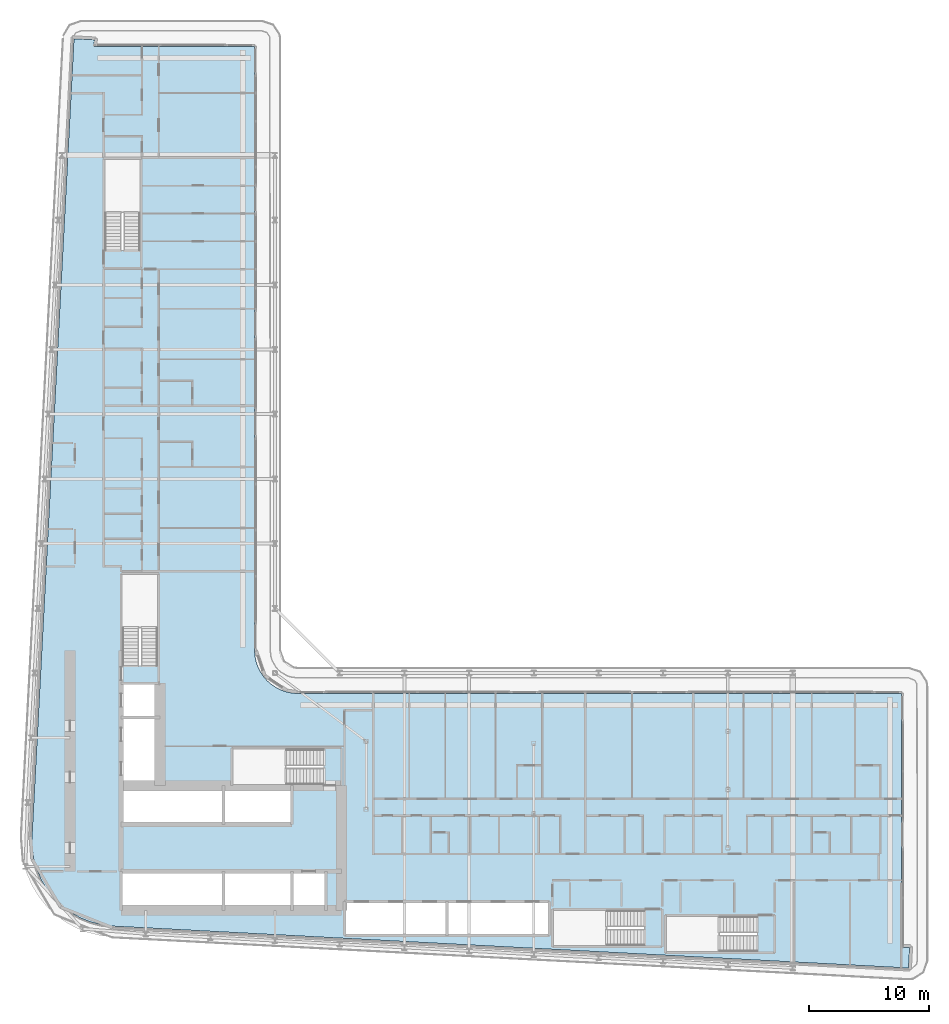
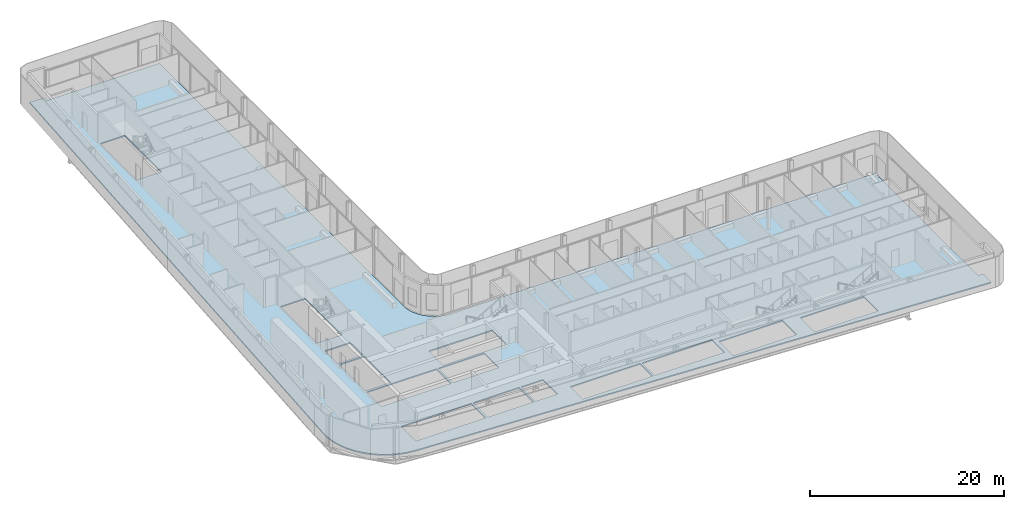
# One storey, part 11 of 28: 1 slab.
"""IFC4 building model written with IfcOpenShell, lengths in metres."""

from ifc_helpers import new_model, si_unit, direction, frame, origin, place, context, subcontext, project, spatial, polyline, outline, extrude, material, layer, layer_set, type_object, element, save


model = new_model("IFC4")

# Units and contexts
model_context = context("Model", 3, precision=1e-05, world=origin(), true_north=direction((0.0, 1.0)))
body_context = subcontext(model_context, "Body", "Model", "MODEL_VIEW")
ifc_project = project(units=[si_unit("LENGTHUNIT", "METRE"), si_unit("AREAUNIT", "SQUARE_METRE"), si_unit("VOLUMEUNIT", "CUBIC_METRE"), si_unit("PLANEANGLEUNIT", "RADIAN"), si_unit("MASSUNIT", "GRAM", prefix="KILO")], contexts=[model_context])

# Site, building, storey
site_placement = place(None, origin())
site = spatial("IfcSite", under=ifc_project, at=site_placement, CompositionType="ELEMENT")
building_placement = place(site_placement, origin())
building = spatial("IfcBuilding", under=site, at=building_placement, Name="Kheshtan School and Residences Tower", CompositionType="ELEMENT")
storey_placement = place(building_placement, frame((0.0, 0.0, 137.0)))
storey = spatial("IfcBuildingStorey", under=building, at=storey_placement, Name="L32", CompositionType="ELEMENT", Elevation=137.0)

# Slab
ifc_material = material(Name="Concrete C40/50", Category="concrete")
ifc_layer = layer(ifc_material, 0.14990234375)
ifc_layer_set = layer_set([ifc_layer], Name="Floor slab 150 Concrete C40/50")
slab_type = type_object("IfcSlabType", Name="Floor slab 150 Concrete C40/50", PredefinedType="FLOOR", material=ifc_layer_set)
slab_placement = place(storey_placement, frame((0.0, 0.0, -0.14990234375)))
element("IfcSlab", 1, at=slab_placement, inside=storey, type_object=slab_type, Name="Floor slab L32", PredefinedType="FLOOR", context=body_context, shape_type="SweptSolid", body=[
    extrude(outline(polyline([(27.718017578125, 29.200927734375), (27.466064453125, 30.093017578125), (27.466064453125, 30.093994140625), (27.3330078125, 31.013916015625), (27.320068359375, 31.965087890625), (27.320068359375, 31.970947265625), (30.822021484375, 98.5009765625), (30.822998046875, 98.508056640625), (30.825927734375, 98.531005859375), (30.825927734375, 98.531982421875), (30.826904296875, 98.531982421875), (31.422119140625, 98.5), (31.423095703125, 98.5), (31.423095703125, 98.4990234375), (31.423095703125, 98.4951171875), (31.423095703125, 98.493896484375), (31.424072265625, 98.493896484375), (31.424072265625, 98.492919921875), (31.425048828125, 98.492919921875), (31.426025390625, 98.492919921875), (31.426025390625, 98.493896484375), (31.427978515625, 98.49609375), (31.428955078125, 98.4970703125), (31.429931640625, 98.498046875), (31.430908203125, 98.498046875), (31.430908203125, 98.4990234375), (31.431884765625, 98.4990234375), (31.431884765625, 98.5), (31.43505859375, 98.5009765625), (31.43603515625, 98.501953125), (31.43896484375, 98.501953125), (31.43994140625, 98.501953125), (31.43994140625, 98.5029296875), (31.44091796875, 98.5029296875), (31.446044921875, 98.5029296875), (32.5009765625, 98.447021484375), (32.50390625, 98.447021484375), (32.5048828125, 98.447021484375), (32.5048828125, 98.446044921875), (32.506103515625, 98.446044921875), (32.510009765625, 98.446044921875), (32.510009765625, 98.445068359375), (32.510986328125, 98.445068359375), (32.510986328125, 98.444091796875), (32.511962890625, 98.444091796875), (32.511962890625, 98.443115234375), (32.512939453125, 98.443115234375), (32.513916015625, 98.443115234375), (32.513916015625, 98.44189453125), (32.514892578125, 98.44189453125), (32.51611328125, 98.44189453125), (32.51904296875, 98.43896484375), (32.51904296875, 98.43798828125), (32.51904296875, 98.43701171875), (32.52001953125, 98.43701171875), (32.52001953125, 98.43603515625), (32.52099609375, 98.43603515625), (32.52099609375, 98.43408203125), (32.52099609375, 98.43310546875), (32.52197265625, 98.43310546875), (32.52197265625, 98.431884765625), (32.52294921875, 98.431884765625), (32.52294921875, 98.430908203125), (32.52294921875, 98.428955078125), (32.52294921875, 98.427978515625), (32.52392578125, 98.427978515625), (32.52392578125, 98.427001953125), (32.52392578125, 98.422119140625), (32.4970703125, 97.9208984375), (32.4970703125, 97.91796875), (32.4970703125, 97.9169921875), (32.49609375, 97.9169921875), (32.49609375, 97.916015625), (32.49609375, 97.912109375), (32.4951171875, 97.910888671875), (32.4951171875, 97.909912109375), (32.493896484375, 97.909912109375), (32.493896484375, 97.908935546875), (32.492919921875, 97.908935546875), (32.492919921875, 97.907958984375), (32.489013671875, 97.904052734375), (32.488037109375, 97.904052734375), (32.488037109375, 97.903076171875), (32.488037109375, 97.902099609375), (32.488037109375, 97.90087890625), (32.489013671875, 97.90087890625), (32.489013671875, 97.89990234375), (32.489990234375, 97.89990234375), (45.85498046875, 97.89990234375), (45.864990234375, 97.89794921875), (45.865966796875, 97.89794921875), (45.868896484375, 97.89599609375), (45.8740234375, 97.89404296875), (45.8779296875, 97.89208984375), (45.881103515625, 97.889892578125), (45.881103515625, 97.888916015625), (45.882080078125, 97.888916015625), (45.882080078125, 97.887939453125), (45.883056640625, 97.887939453125), (45.884033203125, 97.885009765625), (45.885009765625, 97.885009765625), (45.885009765625, 97.884033203125), (45.887939453125, 97.883056640625), (45.887939453125, 97.882080078125), (45.888916015625, 97.882080078125), (45.888916015625, 97.881103515625), (45.889892578125, 97.881103515625), (45.89208984375, 97.8779296875), (45.89404296875, 97.8740234375), (45.89599609375, 97.868896484375), (45.89794921875, 97.865966796875), (45.89794921875, 97.864990234375), (45.89990234375, 97.85498046875), (45.89990234375, 47.429931640625), (45.927001953125, 47.030029296875), (46.01806640625, 46.570068359375), (46.01806640625, 46.569091796875), (46.169921875, 46.1201171875), (46.37890625, 45.697021484375), (46.638916015625, 45.30810546875), (46.949951171875, 44.950927734375), (46.950927734375, 44.949951171875), (47.30810546875, 44.638916015625), (47.697021484375, 44.37890625), (48.1201171875, 44.169921875), (48.569091796875, 44.01806640625), (48.570068359375, 44.01806640625), (49.030029296875, 43.927001953125), (49.429931640625, 43.89990234375), (99.85498046875, 43.89990234375), (99.864990234375, 43.89794921875), (99.865966796875, 43.89794921875), (99.868896484375, 43.89599609375), (99.8740234375, 43.89404296875), (99.8779296875, 43.89208984375), (99.881103515625, 43.889892578125), (99.881103515625, 43.888916015625), (99.882080078125, 43.888916015625), (99.882080078125, 43.887939453125), (99.883056640625, 43.887939453125), (99.884033203125, 43.885009765625), (99.885009765625, 43.885009765625), (99.885009765625, 43.884033203125), (99.887939453125, 43.883056640625), (99.887939453125, 43.882080078125), (99.888916015625, 43.882080078125), (99.888916015625, 43.881103515625), (99.889892578125, 43.881103515625), (99.89208984375, 43.8779296875), (99.89404296875, 43.8740234375), (99.89599609375, 43.868896484375), (99.89794921875, 43.865966796875), (99.89794921875, 43.864990234375), (99.89990234375, 43.85498046875), (99.89990234375, 22.708984375), (99.89990234375, 22.7080078125), (99.90087890625, 22.7080078125), (99.90087890625, 22.70703125), (99.902099609375, 22.70703125), (99.903076171875, 22.70703125), (99.903076171875, 22.7080078125), (99.905029296875, 22.7099609375), (99.906982421875, 22.7119140625), (99.907958984375, 22.7119140625), (99.907958984375, 22.712890625), (99.908935546875, 22.712890625), (99.908935546875, 22.714111328125), (99.909912109375, 22.714111328125), (99.912109375, 22.715087890625), (99.9130859375, 22.716064453125), (99.916015625, 22.716064453125), (99.9169921875, 22.716064453125), (99.9169921875, 22.717041015625), (99.91796875, 22.717041015625), (99.923095703125, 22.717041015625), (100.5380859375, 22.68408203125), (100.541015625, 22.68408203125), (100.5419921875, 22.68408203125), (100.5419921875, 22.68310546875), (100.54296875, 22.68310546875), (100.547119140625, 22.68310546875), (100.547119140625, 22.681884765625), (100.548095703125, 22.681884765625), (100.548095703125, 22.680908203125), (100.549072265625, 22.680908203125), (100.549072265625, 22.679931640625), (100.550048828125, 22.679931640625), (100.551025390625, 22.679931640625), (100.551025390625, 22.678955078125), (100.552001953125, 22.678955078125), (100.552978515625, 22.678955078125), (100.552978515625, 22.677978515625), (100.554931640625, 22.676025390625), (100.555908203125, 22.676025390625), (100.555908203125, 22.675048828125), (100.555908203125, 22.674072265625), (100.556884765625, 22.674072265625), (100.556884765625, 22.673095703125), (100.55810546875, 22.673095703125), (100.55810546875, 22.6708984375), (100.55810546875, 22.669921875), (100.55908203125, 22.669921875), (100.55908203125, 22.6689453125), (100.56005859375, 22.6689453125), (100.56005859375, 22.66796875), (100.56005859375, 22.666015625), (100.56005859375, 22.6650390625), (100.56103515625, 22.6650390625), (100.56103515625, 22.6640625), (100.56103515625, 22.658935546875), (100.5048828125, 21.60205078125), (100.5048828125, 21.59912109375), (100.5048828125, 21.597900390625), (100.50390625, 21.597900390625), (100.50390625, 21.596923828125), (100.50390625, 21.593017578125), (100.5029296875, 21.592041015625), (100.5029296875, 21.591064453125), (100.501953125, 21.591064453125), (100.501953125, 21.590087890625), (100.5009765625, 21.590087890625), (100.5009765625, 21.589111328125), (100.5, 21.587890625), (100.498046875, 21.5859375), (100.4970703125, 21.5849609375), (100.49609375, 21.5849609375), (100.49609375, 21.583984375), (100.49609375, 21.5830078125), (100.49609375, 21.58203125), (100.4970703125, 21.58203125), (100.4970703125, 21.5810546875), (100.498046875, 21.5810546875), (100.4990234375, 21.5810546875), (100.5, 21.5810546875), (100.5, 21.580078125), (100.468017578125, 20.985107421875), (100.468017578125, 20.98388671875), (100.467041015625, 20.98388671875), (100.443115234375, 20.98291015625), (100.43798828125, 20.98291015625), (34.056884765625, 24.47802734375), (33.114990234375, 24.590087890625), (32.215087890625, 24.819091796875), (32.214111328125, 24.819091796875), (31.35205078125, 25.1630859375), (30.541015625, 25.616943359375), (29.799072265625, 26.1708984375), (29.799072265625, 26.172119140625), (29.798095703125, 26.172119140625), (29.134033203125, 26.820068359375), (29.134033203125, 26.821044921875), (29.133056640625, 26.821044921875), (28.55908203125, 27.550048828125), (28.0849609375, 28.345947265625), (27.718017578125, 29.200927734375)]), holes=[polyline([(99.89990234375, 21.5869140625), (99.89990234375, 21.5830078125), (99.89990234375, 21.58203125), (99.90087890625, 21.58203125), (99.90087890625, 21.5810546875), (99.902099609375, 21.5810546875), (99.906005859375, 21.5810546875), (99.906982421875, 21.5810546875), (99.906982421875, 21.58203125), (99.907958984375, 21.58203125), (99.907958984375, 21.5830078125), (99.907958984375, 21.583984375), (99.906982421875, 21.583984375), (99.905029296875, 21.5859375), (99.904052734375, 21.5869140625), (99.903076171875, 21.587890625), (99.903076171875, 21.589111328125), (99.902099609375, 21.589111328125), (99.90087890625, 21.589111328125), (99.90087890625, 21.587890625), (99.89990234375, 21.587890625), (99.89990234375, 21.5869140625)]), polyline([(31.423095703125, 97.906005859375), (31.423095703125, 97.902099609375), (31.423095703125, 97.90087890625), (31.424072265625, 97.90087890625), (31.424072265625, 97.89990234375), (31.425048828125, 97.89990234375), (31.428955078125, 97.89990234375), (31.429931640625, 97.89990234375), (31.429931640625, 97.90087890625), (31.430908203125, 97.90087890625), (31.430908203125, 97.902099609375), (31.430908203125, 97.903076171875), (31.429931640625, 97.903076171875), (31.428955078125, 97.904052734375), (31.427978515625, 97.905029296875), (31.427001953125, 97.906005859375), (31.426025390625, 97.906982421875), (31.426025390625, 97.907958984375), (31.425048828125, 97.907958984375), (31.424072265625, 97.907958984375), (31.424072265625, 97.906982421875), (31.423095703125, 97.906982421875), (31.423095703125, 97.906005859375)]), polyline([(34.875, 28.925048828125), (34.875, 25.925048828125), (43.175048828125, 25.925048828125), (43.175048828125, 28.925048828125), (34.875, 28.925048828125)]), polyline([(43.425048828125, 25.925048828125), (48.875, 25.925048828125), (48.875, 28.925048828125), (43.425048828125, 28.925048828125), (43.425048828125, 25.925048828125)]), polyline([(43.175048828125, 36.074951171875), (34.875, 36.074951171875), (34.875, 33.074951171875), (43.175048828125, 33.074951171875), (43.175048828125, 36.074951171875)]), polyline([(34.875, 41.77490234375), (34.875, 36.324951171875), (37.875, 36.324951171875), (37.875, 41.77490234375), (34.875, 41.77490234375)]), polyline([(34.875, 44.625), (34.875, 42.02490234375), (37.875, 42.02490234375), (37.875, 44.625), (34.875, 44.625)]), polyline([(37.800048828125, 46.25), (37.800048828125, 53.81005859375), (34.85009765625, 53.81005859375), (34.85009765625, 46.260009765625), (36.25, 46.260009765625), (36.25, 46.25), (37.800048828125, 46.25)]), polyline([(33.39990234375, 88.4599609375), (33.39990234375, 80.909912109375), (34.800048828125, 80.909912109375), (34.800048828125, 80.89990234375), (36.35009765625, 80.89990234375), (36.35009765625, 88.4599609375), (33.39990234375, 88.4599609375)]), polyline([(87.81005859375, 22.35009765625), (87.81005859375, 23.75), (87.820068359375, 23.75), (87.820068359375, 25.300048828125), (80.260009765625, 25.300048828125), (80.260009765625, 22.35009765625), (87.81005859375, 22.35009765625)]), polyline([(70.85009765625, 22.85009765625), (78.39990234375, 22.85009765625), (78.39990234375, 24.25), (78.409912109375, 24.25), (78.409912109375, 25.800048828125), (70.85009765625, 25.800048828125), (70.85009765625, 22.85009765625)]), polyline([(61.824951171875, 26.425048828125), (53.52490234375, 26.425048828125), (53.52490234375, 23.824951171875), (61.824951171875, 23.824951171875), (61.824951171875, 26.425048828125)]), polyline([(62.074951171875, 23.824951171875), (70.375, 23.824951171875), (70.375, 26.425048828125), (62.074951171875, 26.425048828125), (62.074951171875, 23.824951171875)]), polyline([(49.125, 28.925048828125), (49.125, 25.925048828125), (51.72509765625, 25.925048828125), (51.72509765625, 28.925048828125), (49.125, 28.925048828125)]), polyline([(43.425048828125, 33.074951171875), (48.875, 33.074951171875), (48.875, 36.074951171875), (43.425048828125, 36.074951171875), (43.425048828125, 33.074951171875)]), polyline([(51.64990234375, 39.25), (44.090087890625, 39.25), (44.090087890625, 36.300048828125), (51.639892578125, 36.300048828125), (51.639892578125, 37.699951171875), (51.64990234375, 37.699951171875), (51.64990234375, 39.25)])]), origin(), (0.0, 0.0, 1.0), 0.14990234375),
])

save(model, "model.ifc")
